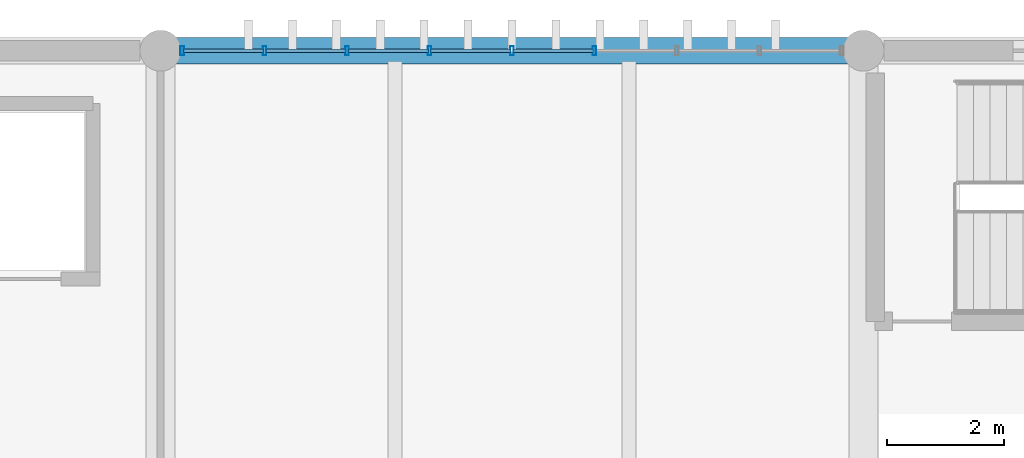
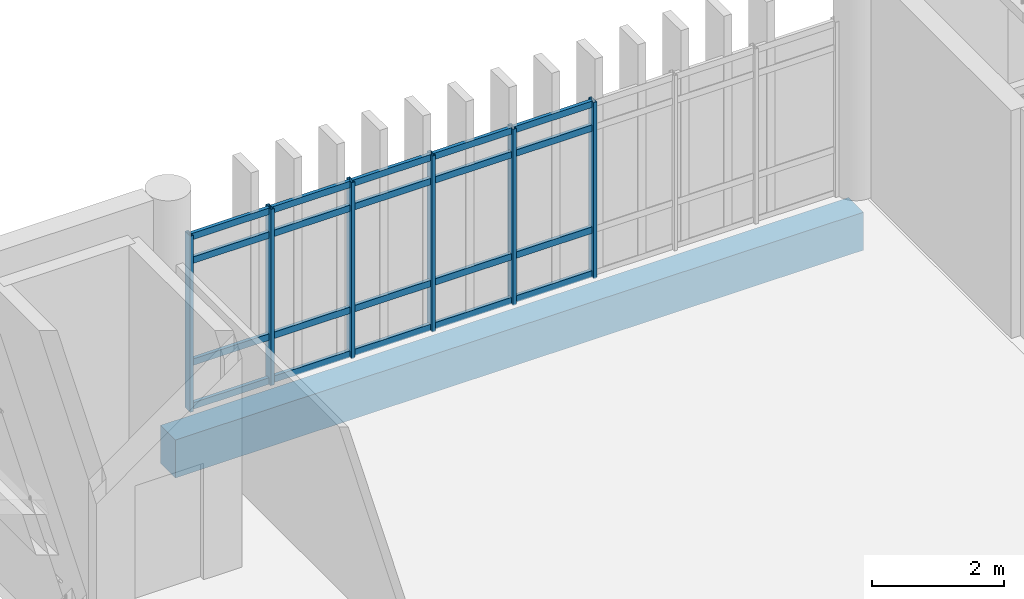
# One storey, part 33 of 82: 26 members, 1 beam, 1 element without a shape of its own.
"""IFC4 building model written with IfcOpenShell, lengths in metres."""

from ifc_helpers import new_model, si_unit, direction, frame, origin, origin_2d, place, context, subcontext, project, spatial, rectangle, hollow_rectangle, extrude, material, layer, layer_set, material_profile, profile_set, type_object, element, aggregate, save


model = new_model("IFC4")

# Units and contexts
model_context = context("Model", 3, precision=1e-05, world=origin(), true_north=direction((0.0, 1.0)))
body_context = subcontext(model_context, "Body", "Model", "MODEL_VIEW")
ifc_project = project(units=[si_unit("LENGTHUNIT", "METRE"), si_unit("AREAUNIT", "SQUARE_METRE"), si_unit("VOLUMEUNIT", "CUBIC_METRE"), si_unit("PLANEANGLEUNIT", "RADIAN"), si_unit("MASSUNIT", "GRAM", prefix="KILO")], contexts=[model_context])

# Site, building, storey
site_placement = place(None, origin())
site = spatial("IfcSite", under=ifc_project, at=site_placement, CompositionType="ELEMENT")
building_placement = place(site_placement, origin())
building = spatial("IfcBuilding", under=site, at=building_placement, Name="Mersad Railyard Sports Hall", CompositionType="ELEMENT")
storey_placement = place(building_placement, frame((0.0, 0.0, 13.199951171875)))
storey = spatial("IfcBuildingStorey", under=building, at=storey_placement, Name="L03", CompositionType="ELEMENT", Elevation=13.199951171875)

# Curtain wall, members
ifc_material_1 = material(Name="Aluminium 6063-T6", Category="aluminium")
ifc_layer = layer(ifc_material_1, 0.159912109375)
ifc_layer_set = layer_set([ifc_layer], Name="Aluminium 6063-T6")
curtain_wall_type = type_object("IfcCurtainWallType", Name="ARC-CW-CW57", PredefinedType="USERDEFINED", material=ifc_layer_set)
curtain_wall_placement = place(storey_placement, origin())
curtain_wall = element("IfcCurtainWall", 1, at=curtain_wall_placement, inside=storey, type_object=curtain_wall_type, Name="Curtain wall CW57-0152", ObjectType="CURTAIN WALL", PredefinedType="USERDEFINED")
ifc_material_profile_1 = material_profile(ifc_material_1, hollow_rectangle(XDim=0.06005859375, YDim=0.159912109375, WallThickness=0.00390625, at=origin_2d()), Name="AL MULLION 60x160x4")
ifc_profile_set_1 = profile_set([ifc_material_profile_1], Name="Aluminium 6063-T6")
member_type_1 = type_object("IfcMemberType", Name="ARC-CW-MUL01", PredefinedType="MULLION", material=ifc_profile_set_1)
member_1_placement = place(storey_placement, frame((79.3701171875, 115.0, -0.02001953125), z_axis=(0.0, 0.0, 1.0), x_axis=(1.0, 0.0, 0.0)))
member_1 = element("IfcMember", 2, at=member_1_placement, type_object=member_type_1, Name="CW57 Mullion 1", PredefinedType="MULLION", context=body_context, shape_type="SweptSolid", body=[
    extrude(hollow_rectangle(XDim=0.06005859375, YDim=0.159912109375, WallThickness=0.00390625, at=origin_2d()), origin(), (0.0, 0.0, 1.0), 3.25),
])
member_2_placement = place(storey_placement, frame((80.777587890625, 115.0, -0.02001953125), z_axis=(0.0, 0.0, 1.0), x_axis=(1.0, 0.0, 0.0)))
member_2 = element("IfcMember", 3, at=member_2_placement, type_object=member_type_1, Name="CW57 Mullion 2", PredefinedType="MULLION", context=body_context, shape_type="SweptSolid", body=[
    extrude(hollow_rectangle(XDim=0.06005859375, YDim=0.159912109375, WallThickness=0.00390625, at=origin_2d()), origin(), (0.0, 0.0, 1.0), 3.25),
])
member_3_placement = place(storey_placement, frame((82.18505859375, 115.0, -0.02001953125), z_axis=(0.0, 0.0, 1.0), x_axis=(1.0, 0.0, 0.0)))
member_3 = element("IfcMember", 4, at=member_3_placement, type_object=member_type_1, Name="CW57 Mullion 3", PredefinedType="MULLION", context=body_context, shape_type="SweptSolid", body=[
    extrude(hollow_rectangle(XDim=0.06005859375, YDim=0.159912109375, WallThickness=0.00390625, at=origin_2d()), origin(), (0.0, 0.0, 1.0), 3.25),
])
member_4_placement = place(storey_placement, frame((83.592529296875, 115.0, -0.02001953125), z_axis=(0.0, 0.0, 1.0), x_axis=(1.0, 0.0, 0.0)))
member_4 = element("IfcMember", 5, at=member_4_placement, type_object=member_type_1, Name="CW57 Mullion 4", PredefinedType="MULLION", context=body_context, shape_type="SweptSolid", body=[
    extrude(hollow_rectangle(XDim=0.06005859375, YDim=0.159912109375, WallThickness=0.00390625, at=origin_2d()), origin(), (0.0, 0.0, 1.0), 3.25),
])
member_5_placement = place(storey_placement, frame((85.0, 115.0, -0.02001953125), z_axis=(0.0, 0.0, 1.0), x_axis=(1.0, 0.0, 0.0)))
member_5 = element("IfcMember", 6, at=member_5_placement, type_object=member_type_1, Name="CW57 Mullion 5", PredefinedType="MULLION", context=body_context, shape_type="SweptSolid", body=[
    extrude(hollow_rectangle(XDim=0.06005859375, YDim=0.159912109375, WallThickness=0.00390625, at=origin_2d()), origin(), (0.0, 0.0, 1.0), 3.25),
])
member_6_placement = place(storey_placement, frame((86.407470703125, 115.0, -0.02001953125), z_axis=(0.0, 0.0, 1.0), x_axis=(1.0, 0.0, 0.0)))
member_6 = element("IfcMember", 7, at=member_6_placement, type_object=member_type_1, Name="CW57 Mullion 6", PredefinedType="MULLION", context=body_context, shape_type="SweptSolid", body=[
    extrude(hollow_rectangle(XDim=0.06005859375, YDim=0.159912109375, WallThickness=0.00390625, at=origin_2d()), origin(), (0.0, 0.0, 1.0), 3.25),
])
ifc_material_profile_2 = material_profile(ifc_material_1, hollow_rectangle(XDim=0.06005859375, YDim=0.1201171875, WallThickness=0.00390625, at=origin_2d()), Name="AL TRANSOM 60x120x4")
ifc_profile_set_2 = profile_set([ifc_material_profile_2], Name="Aluminium 6063-T6")
member_type_2 = type_object("IfcMemberType", Name="ARC-CW-TRN01", PredefinedType="USERDEFINED", material=ifc_profile_set_2)
member_7_placement = place(storey_placement, frame((79.389892578125, 115.0, 0.0400390625), z_axis=(1.0, 0.0, 0.0), x_axis=(0.0, 1.0, 0.0)))
member_7 = element("IfcMember", 8, at=member_7_placement, type_object=member_type_2, Name="CW57 Transom 1-1", ObjectType="TRANSOM", PredefinedType="USERDEFINED", context=body_context, shape_type="SweptSolid", body=[
    extrude(hollow_rectangle(XDim=0.06005859375, YDim=0.1201171875, WallThickness=0.00390625, at=origin_2d()), origin(), (0.0, 0.0, 1.0), 1.36767578125),
])
member_8_placement = place(storey_placement, frame((80.797607421875, 115.0, 0.0400390625), z_axis=(1.0, 0.0, 0.0), x_axis=(0.0, 1.0, 0.0)))
member_8 = element("IfcMember", 9, at=member_8_placement, type_object=member_type_2, Name="CW57 Transom 1-2", ObjectType="TRANSOM", PredefinedType="USERDEFINED", context=body_context, shape_type="SweptSolid", body=[
    extrude(hollow_rectangle(XDim=0.06005859375, YDim=0.1201171875, WallThickness=0.00390625, at=origin_2d()), origin(), (0.0, 0.0, 1.0), 1.367431640625),
])
member_9_placement = place(storey_placement, frame((82.205078125, 115.0, 0.0400390625), z_axis=(1.0, 0.0, 0.0), x_axis=(0.0, 1.0, 0.0)))
member_9 = element("IfcMember", 10, at=member_9_placement, type_object=member_type_2, Name="CW57 Transom 1-3", ObjectType="TRANSOM", PredefinedType="USERDEFINED", context=body_context, shape_type="SweptSolid", body=[
    extrude(hollow_rectangle(XDim=0.06005859375, YDim=0.1201171875, WallThickness=0.00390625, at=origin_2d()), origin(), (0.0, 0.0, 1.0), 1.367431640625),
])
member_10_placement = place(storey_placement, frame((83.612548828125, 115.0, 0.0400390625), z_axis=(1.0, 0.0, 0.0), x_axis=(0.0, 1.0, 0.0)))
member_10 = element("IfcMember", 11, at=member_10_placement, type_object=member_type_2, Name="CW57 Transom 1-4", ObjectType="TRANSOM", PredefinedType="USERDEFINED", context=body_context, shape_type="SweptSolid", body=[
    extrude(hollow_rectangle(XDim=0.06005859375, YDim=0.1201171875, WallThickness=0.00390625, at=origin_2d()), origin(), (0.0, 0.0, 1.0), 1.367431640625),
])
member_11_placement = place(storey_placement, frame((85.02001953125, 115.0, 0.0400390625), z_axis=(1.0, 0.0, 0.0), x_axis=(0.0, 1.0, 0.0)))
member_11 = element("IfcMember", 12, at=member_11_placement, type_object=member_type_2, Name="CW57 Transom 1-5", ObjectType="TRANSOM", PredefinedType="USERDEFINED", context=body_context, shape_type="SweptSolid", body=[
    extrude(hollow_rectangle(XDim=0.06005859375, YDim=0.1201171875, WallThickness=0.00390625, at=origin_2d()), origin(), (0.0, 0.0, 1.0), 1.367431640625),
])
member_12_placement = place(storey_placement, frame((79.389892578125, 115.0, 0.85009765625), z_axis=(1.0, 0.0, 0.0), x_axis=(0.0, 1.0, 0.0)))
member_12 = element("IfcMember", 13, at=member_12_placement, type_object=member_type_2, Name="CW57 Transom 2-1", ObjectType="TRANSOM", PredefinedType="USERDEFINED", context=body_context, shape_type="SweptSolid", body=[
    extrude(hollow_rectangle(XDim=0.06005859375, YDim=0.1201171875, WallThickness=0.00390625, at=origin_2d()), origin(), (0.0, 0.0, 1.0), 1.36767578125),
])
member_13_placement = place(storey_placement, frame((80.797607421875, 115.0, 0.85009765625), z_axis=(1.0, 0.0, 0.0), x_axis=(0.0, 1.0, 0.0)))
member_13 = element("IfcMember", 14, at=member_13_placement, type_object=member_type_2, Name="CW57 Transom 2-2", ObjectType="TRANSOM", PredefinedType="USERDEFINED", context=body_context, shape_type="SweptSolid", body=[
    extrude(hollow_rectangle(XDim=0.06005859375, YDim=0.1201171875, WallThickness=0.00390625, at=origin_2d()), origin(), (0.0, 0.0, 1.0), 1.367431640625),
])
member_14_placement = place(storey_placement, frame((82.205078125, 115.0, 0.85009765625), z_axis=(1.0, 0.0, 0.0), x_axis=(0.0, 1.0, 0.0)))
member_14 = element("IfcMember", 15, at=member_14_placement, type_object=member_type_2, Name="CW57 Transom 2-3", ObjectType="TRANSOM", PredefinedType="USERDEFINED", context=body_context, shape_type="SweptSolid", body=[
    extrude(hollow_rectangle(XDim=0.06005859375, YDim=0.1201171875, WallThickness=0.00390625, at=origin_2d()), origin(), (0.0, 0.0, 1.0), 1.367431640625),
])
member_15_placement = place(storey_placement, frame((83.612548828125, 115.0, 0.85009765625), z_axis=(1.0, 0.0, 0.0), x_axis=(0.0, 1.0, 0.0)))
member_15 = element("IfcMember", 16, at=member_15_placement, type_object=member_type_2, Name="CW57 Transom 2-4", ObjectType="TRANSOM", PredefinedType="USERDEFINED", context=body_context, shape_type="SweptSolid", body=[
    extrude(hollow_rectangle(XDim=0.06005859375, YDim=0.1201171875, WallThickness=0.00390625, at=origin_2d()), origin(), (0.0, 0.0, 1.0), 1.367431640625),
])
member_16_placement = place(storey_placement, frame((85.02001953125, 115.0, 0.85009765625), z_axis=(1.0, 0.0, 0.0), x_axis=(0.0, 1.0, 0.0)))
member_16 = element("IfcMember", 17, at=member_16_placement, type_object=member_type_2, Name="CW57 Transom 2-5", ObjectType="TRANSOM", PredefinedType="USERDEFINED", context=body_context, shape_type="SweptSolid", body=[
    extrude(hollow_rectangle(XDim=0.06005859375, YDim=0.1201171875, WallThickness=0.00390625, at=origin_2d()), origin(), (0.0, 0.0, 1.0), 1.367431640625),
])
member_17_placement = place(storey_placement, frame((79.389892578125, 115.0, 2.72998046875), z_axis=(1.0, 0.0, 0.0), x_axis=(0.0, 1.0, 0.0)))
member_17 = element("IfcMember", 18, at=member_17_placement, type_object=member_type_2, Name="CW57 Transom 3-1", ObjectType="TRANSOM", PredefinedType="USERDEFINED", context=body_context, shape_type="SweptSolid", body=[
    extrude(hollow_rectangle(XDim=0.06005859375, YDim=0.1201171875, WallThickness=0.00390625, at=origin_2d()), origin(), (0.0, 0.0, 1.0), 1.36767578125),
])
member_18_placement = place(storey_placement, frame((80.797607421875, 115.0, 2.72998046875), z_axis=(1.0, 0.0, 0.0), x_axis=(0.0, 1.0, 0.0)))
member_18 = element("IfcMember", 19, at=member_18_placement, type_object=member_type_2, Name="CW57 Transom 3-2", ObjectType="TRANSOM", PredefinedType="USERDEFINED", context=body_context, shape_type="SweptSolid", body=[
    extrude(hollow_rectangle(XDim=0.06005859375, YDim=0.1201171875, WallThickness=0.00390625, at=origin_2d()), origin(), (0.0, 0.0, 1.0), 1.367431640625),
])
member_19_placement = place(storey_placement, frame((82.205078125, 115.0, 2.72998046875), z_axis=(1.0, 0.0, 0.0), x_axis=(0.0, 1.0, 0.0)))
member_19 = element("IfcMember", 20, at=member_19_placement, type_object=member_type_2, Name="CW57 Transom 3-3", ObjectType="TRANSOM", PredefinedType="USERDEFINED", context=body_context, shape_type="SweptSolid", body=[
    extrude(hollow_rectangle(XDim=0.06005859375, YDim=0.1201171875, WallThickness=0.00390625, at=origin_2d()), origin(), (0.0, 0.0, 1.0), 1.367431640625),
])
member_20_placement = place(storey_placement, frame((83.612548828125, 115.0, 2.72998046875), z_axis=(1.0, 0.0, 0.0), x_axis=(0.0, 1.0, 0.0)))
member_20 = element("IfcMember", 21, at=member_20_placement, type_object=member_type_2, Name="CW57 Transom 3-4", ObjectType="TRANSOM", PredefinedType="USERDEFINED", context=body_context, shape_type="SweptSolid", body=[
    extrude(hollow_rectangle(XDim=0.06005859375, YDim=0.1201171875, WallThickness=0.00390625, at=origin_2d()), origin(), (0.0, 0.0, 1.0), 1.367431640625),
])
member_21_placement = place(storey_placement, frame((85.02001953125, 115.0, 2.72998046875), z_axis=(1.0, 0.0, 0.0), x_axis=(0.0, 1.0, 0.0)))
member_21 = element("IfcMember", 22, at=member_21_placement, type_object=member_type_2, Name="CW57 Transom 3-5", ObjectType="TRANSOM", PredefinedType="USERDEFINED", context=body_context, shape_type="SweptSolid", body=[
    extrude(hollow_rectangle(XDim=0.06005859375, YDim=0.1201171875, WallThickness=0.00390625, at=origin_2d()), origin(), (0.0, 0.0, 1.0), 1.367431640625),
])
member_22_placement = place(storey_placement, frame((79.389892578125, 115.0, 3.170166015625), z_axis=(1.0, 0.0, 0.0), x_axis=(0.0, 1.0, 0.0)))
member_22 = element("IfcMember", 23, at=member_22_placement, type_object=member_type_2, Name="CW57 Transom 4-1", ObjectType="TRANSOM", PredefinedType="USERDEFINED", context=body_context, shape_type="SweptSolid", body=[
    extrude(hollow_rectangle(XDim=0.06005859375, YDim=0.1201171875, WallThickness=0.00390625, at=origin_2d()), origin(), (0.0, 0.0, 1.0), 1.36767578125),
])
member_23_placement = place(storey_placement, frame((80.797607421875, 115.0, 3.170166015625), z_axis=(1.0, 0.0, 0.0), x_axis=(0.0, 1.0, 0.0)))
member_23 = element("IfcMember", 24, at=member_23_placement, type_object=member_type_2, Name="CW57 Transom 4-2", ObjectType="TRANSOM", PredefinedType="USERDEFINED", context=body_context, shape_type="SweptSolid", body=[
    extrude(hollow_rectangle(XDim=0.06005859375, YDim=0.1201171875, WallThickness=0.00390625, at=origin_2d()), origin(), (0.0, 0.0, 1.0), 1.367431640625),
])
member_24_placement = place(storey_placement, frame((82.205078125, 115.0, 3.170166015625), z_axis=(1.0, 0.0, 0.0), x_axis=(0.0, 1.0, 0.0)))
member_24 = element("IfcMember", 25, at=member_24_placement, type_object=member_type_2, Name="CW57 Transom 4-3", ObjectType="TRANSOM", PredefinedType="USERDEFINED", context=body_context, shape_type="SweptSolid", body=[
    extrude(hollow_rectangle(XDim=0.06005859375, YDim=0.1201171875, WallThickness=0.00390625, at=origin_2d()), origin(), (0.0, 0.0, 1.0), 1.367431640625),
])
member_25_placement = place(storey_placement, frame((83.612548828125, 115.0, 3.170166015625), z_axis=(1.0, 0.0, 0.0), x_axis=(0.0, 1.0, 0.0)))
member_25 = element("IfcMember", 26, at=member_25_placement, type_object=member_type_2, Name="CW57 Transom 4-4", ObjectType="TRANSOM", PredefinedType="USERDEFINED", context=body_context, shape_type="SweptSolid", body=[
    extrude(hollow_rectangle(XDim=0.06005859375, YDim=0.1201171875, WallThickness=0.00390625, at=origin_2d()), origin(), (0.0, 0.0, 1.0), 1.367431640625),
])
member_26_placement = place(storey_placement, frame((85.02001953125, 115.0, 3.170166015625), z_axis=(1.0, 0.0, 0.0), x_axis=(0.0, 1.0, 0.0)))
member_26 = element("IfcMember", 27, at=member_26_placement, type_object=member_type_2, Name="CW57 Transom 4-5", ObjectType="TRANSOM", PredefinedType="USERDEFINED", context=body_context, shape_type="SweptSolid", body=[
    extrude(hollow_rectangle(XDim=0.06005859375, YDim=0.1201171875, WallThickness=0.00390625, at=origin_2d()), origin(), (0.0, 0.0, 1.0), 1.367431640625),
])
aggregate(curtain_wall, [member_1, member_2, member_3, member_4, member_5, member_6, member_7, member_8, member_9, member_10, member_11, member_12, member_13, member_14, member_15, member_16, member_17, member_18, member_19, member_20, member_21, member_22, member_23, member_24, member_25, member_26])

# Beam
ifc_material_2 = material(Name="Architectural concrete C40/50", Category="concrete")
ifc_material_profile_3 = material_profile(ifc_material_2, rectangle(XDim=0.449951171875, YDim=0.699951171875, at=origin_2d()), Name="RC 450x700")
ifc_profile_set_3 = profile_set([ifc_material_profile_3], Name="Architectural concrete C40/50")
beam_type = type_object("IfcBeamType", Name="STR-BM-SP01", PredefinedType="SPANDREL", material=ifc_profile_set_3)
beam_placement = place(storey_placement, frame((79.0, 115.0, -0.669921875), z_axis=(1.0, 0.0, 0.0), x_axis=(0.0, 1.0, 0.0)))
element("IfcBeam", 28, at=beam_placement, inside=storey, type_object=beam_type, Name="Beam SP01-1239", PredefinedType="SPANDREL", context=body_context, shape_type="SweptSolid", body=[
    extrude(rectangle(XDim=0.449951171875, YDim=0.699951171875, at=origin_2d()), origin(), (0.0, 0.0, 1.0), 12.0),
])

save(model, "model.ifc")
